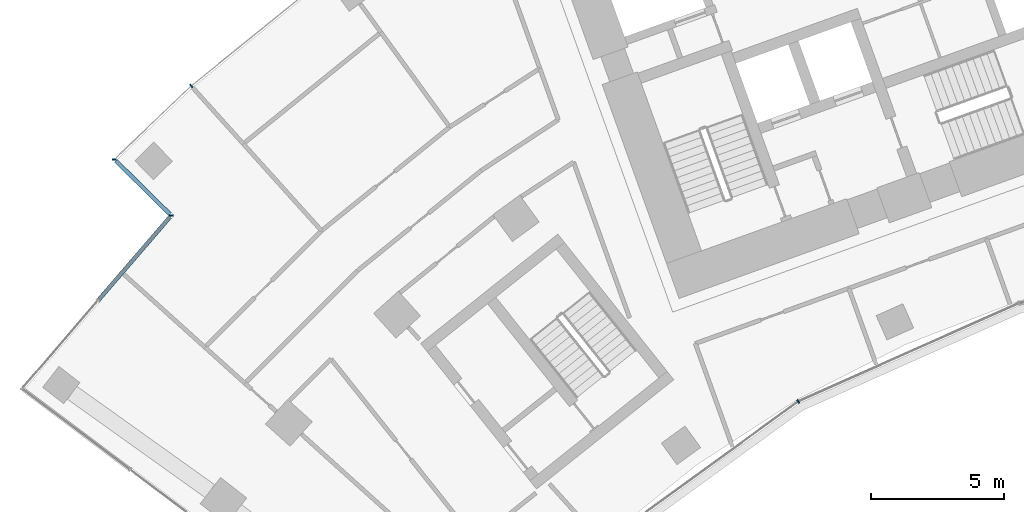
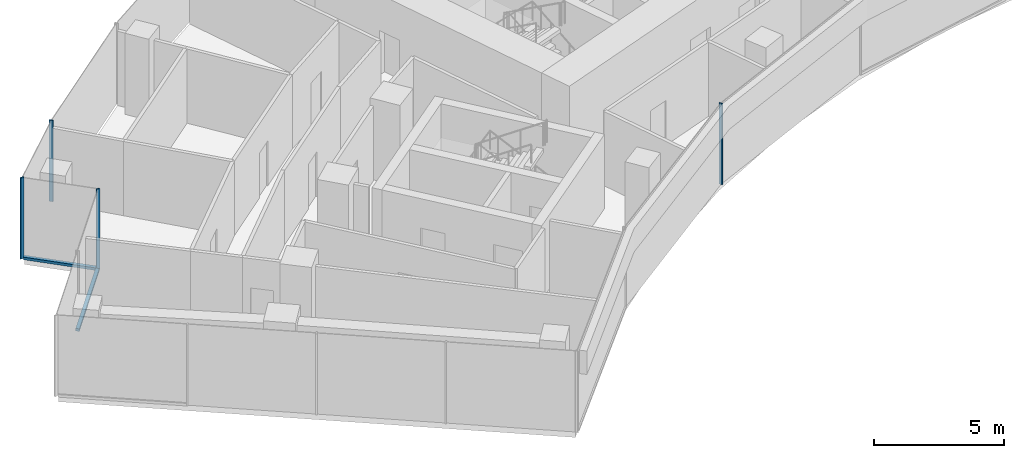
# One storey, part 3 of 21: 6 members, 4 elements without a shape of their own.
"""IFC4 building model written with IfcOpenShell, lengths in metres."""

import ifcopenshell
import ifcopenshell.guid

model = None  # the IFC model being written
_history = None  # IfcOwnerHistory: only IFC2X3 demands one
_inside = {}  # id of a spatial element -> (the spatial element, [elements in it])
_under = {}  # id of a project, library or spatial element -> (it, [spatial elements below it])
_declared = {}  # id of a project -> (the project, [libraries it declares])
_typed = {}  # id of a type object -> (the type object, [elements of that type])
_made_of = {}  # id of a material, layer set ... -> (it, [elements and type objects made of it])


def new_model(schema):
    """Start an empty IFC model of exactly this schema.

    Asked for "IFC4X3", IfcOpenShell would pick the latest addendum, in which some entities
    have other attributes; the version numbers below select the first issue.
    IFC2X3 requires an IfcOwnerHistory on every rooted entity: one is made here for all.
    """
    global model, _history
    if schema == "IFC4X3":
        model = ifcopenshell.file(schema_version=(4, 3, 0, 0))
    else:
        model = ifcopenshell.file(schema=schema)
    _inside.clear()
    _under.clear()
    _declared.clear()
    _typed.clear()
    _made_of.clear()
    _history = None
    if model.schema == "IFC2X3":
        org = make("IfcOrganization", Name="unknown")
        user = make(
            "IfcPersonAndOrganization",
            ThePerson=make("IfcPerson", FamilyName="unknown"),
            TheOrganization=org,
        )
        app = make(
            "IfcApplication",
            ApplicationDeveloper=org,
            Version="unknown",
            ApplicationFullName="unknown",
            ApplicationIdentifier="unknown",
        )
        _history = make(
            "IfcOwnerHistory",
            OwningUser=user,
            OwningApplication=app,
            ChangeAction="ADDED",
            CreationDate=0,
        )
    return model


def make(cls, **values):
    """One entity of the class cls with the attributes given. An attribute that is None is left unset."""
    return model.create_entity(
        cls, **{name: value for name, value in values.items() if value is not None}
    )


def rooted(cls, **values):
    """An entity with a GlobalId (a new one), such as an element, a storey or a relation."""
    return make(cls, GlobalId=ifcopenshell.guid.new(), OwnerHistory=_history, **values)


def si_unit(unit_type, name, prefix=None):
    """IfcSIUnit, for example si_unit("LENGTHUNIT", "METRE", prefix="MILLI")."""
    return make("IfcSIUnit", UnitType=unit_type, Prefix=prefix, Name=name)


def assignment(units):
    """IfcUnitAssignment: the units of a project."""
    return None if units is None else make("IfcUnitAssignment", Units=units)


def point(xyz):
    """IfcCartesianPoint."""
    return None if xyz is None else make("IfcCartesianPoint", Coordinates=xyz)


def direction(xyz):
    """IfcDirection."""
    return None if xyz is None else make("IfcDirection", DirectionRatios=xyz)


def frame(location, z_axis=None, x_axis=None):
    """IfcAxis2Placement3D, a coordinate frame: its origin and axes. An axis left out is left unset."""
    return make(
        "IfcAxis2Placement3D",
        Location=point(location),
        Axis=direction(z_axis),
        RefDirection=direction(x_axis),
    )


def frame_2d(location, x_axis=None):
    """IfcAxis2Placement2D, a coordinate frame in the plane: its origin and x axis."""
    return make(
        "IfcAxis2Placement2D", Location=point(location), RefDirection=direction(x_axis)
    )


def origin():
    """The frame at (0, 0, 0) with its axes left unset."""
    return frame((0.0, 0.0, 0.0))


def origin_2d():
    """The frame at (0, 0) in the plane with its x axis left unset."""
    return frame_2d((0.0, 0.0))


def place(relative_to, where):
    """IfcLocalPlacement: puts the frame where relative to a parent placement (None: the world)."""
    return make(
        "IfcLocalPlacement", PlacementRelTo=relative_to, RelativePlacement=where
    )


def context(
    kind, dimensions, precision=None, world=None, true_north=None, identifier=None
):
    """IfcGeometricRepresentationContext, for example the 3D "Model" context."""
    return make(
        "IfcGeometricRepresentationContext",
        ContextIdentifier=identifier,
        ContextType=kind,
        CoordinateSpaceDimension=dimensions,
        Precision=precision,
        WorldCoordinateSystem=world,
        TrueNorth=true_north,
    )


def subcontext(parent, identifier, kind, view, scale=None):
    """IfcGeometricRepresentationSubContext, for example "Body" below "Model"."""
    return make(
        "IfcGeometricRepresentationSubContext",
        ContextIdentifier=identifier,
        ContextType=kind,
        ParentContext=parent,
        TargetScale=scale,
        TargetView=view,
    )


def project(units=None, contexts=None):
    """IfcProject with its units and contexts."""
    return rooted(
        "IfcProject",
        Name="project",
        RepresentationContexts=contexts,
        UnitsInContext=assignment(units),
    )


def spatial(cls, under=None, at=None, **own):
    """A site, building, storey or space (cls), placed at a placement, below another one or the project."""
    s = rooted(cls, ObjectPlacement=at, **own)
    if under is not None:
        _under.setdefault(under.id(), (under, []))[1].append(s)
    return s


def profile(cls, at=None, kind="AREA", **sizes):
    """A parametric profile (cls). Its sizes go by their IFC names, for example OverallWidth=200.0."""
    return make(cls, ProfileType=kind, Position=at, **sizes)


def rectangle(**sizes):
    """IfcRectangleProfileDef."""
    return profile("IfcRectangleProfileDef", **sizes)


def extrude(swept, where, along, depth):
    """IfcExtrudedAreaSolid: the profile swept, set in the frame where, extruded along a direction by depth."""
    return make(
        "IfcExtrudedAreaSolid",
        SweptArea=swept,
        Position=where,
        ExtrudedDirection=direction(along),
        Depth=depth,
    )


def shape(context_of_items, identifier, shape_type, items):
    """IfcShapeRepresentation: the items that make up one representation, for example the "Body"."""
    return make(
        "IfcShapeRepresentation",
        ContextOfItems=context_of_items,
        RepresentationIdentifier=identifier,
        RepresentationType=shape_type,
        Items=items,
    )


def material(Name=None, Category=None):
    """IfcMaterial."""
    return make("IfcMaterial", Name=Name, Category=Category)


def layer(
    of_material, thickness, ventilated=None, Name=None, Category=None, Priority=None
):
    """IfcMaterialLayer: one layer of a wall or slab, of a material (None: an air gap)."""
    return make(
        "IfcMaterialLayer",
        Material=of_material,
        LayerThickness=thickness,
        IsVentilated=ventilated,
        Name=Name,
        Category=Category,
        Priority=Priority,
    )


def layer_set(layers, Name=None):
    """IfcMaterialLayerSet."""
    return make("IfcMaterialLayerSet", MaterialLayers=layers, LayerSetName=Name)


def material_profile(
    of_material, cross_section, Name=None, Category=None, Priority=None
):
    """IfcMaterialProfile: a cross section and its material."""
    return make(
        "IfcMaterialProfile",
        Name=Name,
        Material=of_material,
        Profile=cross_section,
        Priority=Priority,
        Category=Category,
    )


def profile_set(profiles, Name=None, composite=None):
    """IfcMaterialProfileSet."""
    return make(
        "IfcMaterialProfileSet",
        Name=Name,
        MaterialProfiles=profiles,
        CompositeProfile=composite,
    )


def made_of(thing, what):
    """Note that an element or type object is made of a material, layer set ...; save() writes the relation."""
    if what is not None:
        _made_of.setdefault(what.id(), (what, []))[1].append(thing)
    return thing


def type_object(cls, material=None, **own):
    """A type object (cls), such as IfcWallType, which elements share."""
    return made_of(rooted(cls, **own), material)


def element(
    cls,
    number,
    at=None,
    inside=None,
    cuts=None,
    type_object=None,
    material=None,
    context=None,
    identifier="Body",
    shape_type=None,
    held_by="IfcProductDefinitionShape",
    body=None,
    shapes=None,
    **own,
):
    """One element of the class cls, such as IfcWall. Its Tag is "e" and its number.

    at: its placement. inside: the storey or other place that contains it. cuts: it is an
    opening in that element (IfcRelVoidsElement). A single representation is given by context,
    identifier, shape_type and body (its items); several are given by shapes. held_by: the class
    of the entity that holds the representations. save() writes the other relations.
    """
    e = rooted(cls, Tag="e%d" % number, ObjectPlacement=at, **own)
    if body is not None:
        shapes = [shape(context, identifier, shape_type, body)]
    if shapes is not None:
        e.Representation = make(held_by, Representations=shapes)
    if inside is not None:
        _inside.setdefault(inside.id(), (inside, []))[1].append(e)
    if cuts is not None:
        rooted(
            "IfcRelVoidsElement", RelatingBuildingElement=cuts, RelatedOpeningElement=e
        )
    if type_object is not None:
        _typed.setdefault(type_object.id(), (type_object, []))[1].append(e)
    return made_of(e, material)


def aggregate(whole, parts):
    """IfcRelAggregates: a whole, such as a stair, and the parts it consists of."""
    return rooted("IfcRelAggregates", RelatingObject=whole, RelatedObjects=parts)


def save(model, path):
    """Write the relations noted so far, then the file.

    IfcRelAggregates (storeys below a building ...), IfcRelContainedInSpatialStructure (elements
    in a storey), IfcRelDefinesByType, IfcRelAssociatesMaterial and IfcRelDeclares: one each for
    every whole, place, type object, material and project.
    """
    for whole, parts in _under.values():
        aggregate(whole, parts)
    for where, things in _inside.values():
        rooted(
            "IfcRelContainedInSpatialStructure",
            RelatedElements=things,
            RelatingStructure=where,
        )
    for kind, things in _typed.values():
        rooted("IfcRelDefinesByType", RelatedObjects=things, RelatingType=kind)
    for what, things in _made_of.values():
        rooted("IfcRelAssociatesMaterial", RelatedObjects=things, RelatingMaterial=what)
    for by, libraries in _declared.values():
        rooted("IfcRelDeclares", RelatingContext=by, RelatedDefinitions=libraries)
    model.write(path)


model = new_model("IFC4")

# Units and contexts
model_context = context("Model", 3, precision=1e-05, world=origin(), true_north=direction((0.0, 1.0)))
body_context = subcontext(model_context, "Body", "Model", "MODEL_VIEW")
ifc_project = project(units=[si_unit("LENGTHUNIT", "METRE"), si_unit("AREAUNIT", "SQUARE_METRE"), si_unit("VOLUMEUNIT", "CUBIC_METRE"), si_unit("PLANEANGLEUNIT", "RADIAN"), si_unit("MASSUNIT", "GRAM", prefix="KILO")], contexts=[model_context])

# Site, building, storey
site_placement = place(None, origin())
site = spatial("IfcSite", under=ifc_project, at=site_placement, CompositionType="ELEMENT")
building_placement = place(site_placement, origin())
building = spatial("IfcBuilding", under=site, at=building_placement, Name="Stone Belt Terrace Tower", CompositionType="ELEMENT")
storey_placement = place(building_placement, frame((0.0, 0.0, 151.60009765625)))
storey = spatial("IfcBuildingStorey", under=building, at=storey_placement, Name="L36", CompositionType="ELEMENT", Elevation=151.60009765625)

# Curtain wall, member
ifc_material = material(Name="Aluminium 6063-T6 anodised frame", Category="aluminium")
ifc_layer_1 = layer(ifc_material, 0.14990234375)
ifc_layer_set_1 = layer_set([ifc_layer_1], Name="CW-A unitised convex-face curtain wall")
curtain_wall_type_1 = type_object("IfcCurtainWallType", Name="CW-A unitised convex-face curtain wall", PredefinedType="NOTDEFINED", material=ifc_layer_set_1)
curtain_wall_1_placement = place(storey_placement, origin())
curtain_wall_1 = element("IfcCurtainWall", 1, at=curtain_wall_1_placement, inside=storey, type_object=curtain_wall_type_1, Name="CW-A convex face L36", PredefinedType="NOTDEFINED")
ifc_material_profile_1 = material_profile(ifc_material, rectangle(XDim=0.14990234375, YDim=0.06005859375, at=origin_2d()), Name="Aluminium 6063-T6 60x150")
ifc_profile_set_1 = profile_set([ifc_material_profile_1], Name="Aluminium 6063-T6 anodised frame")
member_type_1 = type_object("IfcMemberType", Name="CW-A mullion 60 x 150", PredefinedType="MULLION", material=ifc_profile_set_1)
member_1_placement = place(storey_placement, frame((-44.546875, 49.4755859375, 0.0), z_axis=(0.0, 0.0, 1.0), x_axis=(0.660573481499, -0.75076139721, 0.0)))
member_1 = element("IfcMember", 2, at=member_1_placement, type_object=member_type_1, Name="CW-A mullion 16", PredefinedType="MULLION", context=body_context, shape_type="SweptSolid", body=[
    extrude(rectangle(XDim=0.14990234375, YDim=0.06005859375, at=origin_2d()), origin(), (0.0, 0.0, 1.0), 3.7998046875),
])
aggregate(curtain_wall_1, [member_1])

ifc_layer_2 = layer(ifc_material, 0.14990234375)
ifc_layer_set_2 = layer_set([ifc_layer_2], Name="CW-B unitised concave-face curtain wall")
curtain_wall_type_2 = type_object("IfcCurtainWallType", Name="CW-B unitised concave-face curtain wall", PredefinedType="NOTDEFINED", material=ifc_layer_set_2)
curtain_wall_2_placement = place(storey_placement, origin())
curtain_wall_2 = element("IfcCurtainWall", 3, at=curtain_wall_2_placement, inside=storey, type_object=curtain_wall_type_2, Name="CW-B concave face L36", PredefinedType="NOTDEFINED")
ifc_material_profile_2 = material_profile(ifc_material, rectangle(XDim=0.14990234375, YDim=0.050048828125, at=origin_2d()), Name="Aluminium 6063-T6 50x150")
ifc_profile_set_2 = profile_set([ifc_material_profile_2], Name="Aluminium 6063-T6 anodised frame")
member_type_2 = type_object("IfcMemberType", Name="CW-B mullion 50 x 150", PredefinedType="MULLION", material=ifc_profile_set_2)
member_2_placement = place(storey_placement, frame((-21.71240234375, 37.606689453125, 0.0), z_axis=(0.0, 0.0, 1.0), x_axis=(-0.5, 0.866025403784, 0.0)))
member_2 = element("IfcMember", 4, at=member_2_placement, type_object=member_type_2, Name="CW-B mullion 3", PredefinedType="MULLION", context=body_context, shape_type="SweptSolid", body=[
    extrude(rectangle(XDim=0.14990234375, YDim=0.050048828125, at=origin_2d()), origin(), (0.0, 0.0, 1.0), 3.7998046875),
])
aggregate(curtain_wall_2, [member_2])

ifc_layer_3 = layer(ifc_material, 0.14990234375)
ifc_layer_set_3 = layer_set([ifc_layer_3], Name="CW-C stick curtain wall, horn ends and notches")
curtain_wall_type_3 = type_object("IfcCurtainWallType", Name="CW-C stick curtain wall, horn ends and notches", PredefinedType="NOTDEFINED", material=ifc_layer_set_3)
curtain_wall_3_placement = place(storey_placement, origin())
curtain_wall_3 = element("IfcCurtainWall", 5, at=curtain_wall_3_placement, inside=storey, type_object=curtain_wall_type_3, Name="CW-C notch face L36", PredefinedType="NOTDEFINED")
ifc_material_profile_3 = material_profile(ifc_material, rectangle(XDim=0.14990234375, YDim=0.06005859375, at=origin_2d()), Name="Aluminium 6063-T6 60x150")
ifc_profile_set_3 = profile_set([ifc_material_profile_3], Name="Aluminium 6063-T6 anodised frame")
member_type_3 = type_object("IfcMemberType", Name="CW-C mullion 60 x 150", PredefinedType="MULLION", material=ifc_profile_set_3)
member_3_placement = place(storey_placement, frame((-47.4365234375, 46.715087890625, 0.0), z_axis=(0.0, 0.0, 1.0), x_axis=(0.999966480105, -0.008187714406, 0.0)))
member_3 = element("IfcMember", 6, at=member_3_placement, type_object=member_type_3, Name="CW-C mullion 1", PredefinedType="MULLION", context=body_context, shape_type="SweptSolid", body=[
    extrude(rectangle(XDim=0.14990234375, YDim=0.06005859375, at=origin_2d()), origin(), (0.0, 0.0, 1.0), 3.7998046875),
])

curtain_wall_4_placement = place(storey_placement, origin())
curtain_wall_4 = element("IfcCurtainWall", 7, at=curtain_wall_4_placement, inside=storey, type_object=curtain_wall_type_3, Name="CW-C notch face L36", PredefinedType="NOTDEFINED")
member_4_placement = place(storey_placement, frame((-45.29638671875, 44.602783203125, 0.0), z_axis=(0.0, 0.0, 1.0), x_axis=(0.999185209744, 0.040359839301, 0.0)))
member_4 = element("IfcMember", 8, at=member_4_placement, type_object=member_type_3, Name="CW-C mullion 1", PredefinedType="MULLION", context=body_context, shape_type="SweptSolid", body=[
    extrude(rectangle(XDim=0.14990234375, YDim=0.06005859375, at=origin_2d()), origin(), (0.0, 0.0, 1.0), 3.7998046875),
])

# Member
ifc_material_profile_4 = material_profile(ifc_material, rectangle(XDim=0.14990234375, YDim=0.1201171875, at=origin_2d()), Name="Aluminium 6063-T6 150x120")
ifc_profile_set_4 = profile_set([ifc_material_profile_4], Name="Aluminium 6063-T6 anodised frame")
member_type_4 = type_object("IfcMemberType", Name="CW-C transom 120 x 150", PredefinedType="USERDEFINED", material=ifc_profile_set_4)
member_5_placement = place(storey_placement, frame((-47.383544921875, 46.66259765625, 0.059814453125), z_axis=(0.711744791626, -0.702438147877, 0.0), x_axis=(0.702438147877, 0.711744791626, 0.0)))
member_5 = element("IfcMember", 9, at=member_5_placement, type_object=member_type_4, Name="CW-C transom 1.1", ObjectType="TRANSOM", PredefinedType="USERDEFINED", context=body_context, shape_type="SweptSolid", body=[
    extrude(rectangle(XDim=0.14990234375, YDim=0.1201171875, at=origin_2d()), origin(), (0.0, 0.0, 1.0), 2.859375),
])

aggregate(curtain_wall_3, [member_3, member_5])

member_6_placement = place(storey_placement, frame((-45.343994140625, 44.54736328125, 0.059814453125), z_axis=(-0.652755588772, -0.757568572029, 0.0), x_axis=(0.757568572029, -0.652755588772, 0.0)))
member_6 = element("IfcMember", 10, at=member_6_placement, type_object=member_type_4, Name="CW-C transom 1.1", ObjectType="TRANSOM", PredefinedType="USERDEFINED", context=body_context, shape_type="SweptSolid", body=[
    extrude(rectangle(XDim=0.14990234375, YDim=0.1201171875, at=origin_2d()), origin(), (0.0, 0.0, 1.0), 4.12060546875),
])

aggregate(curtain_wall_4, [member_4, member_6])

save(model, "model.ifc")
